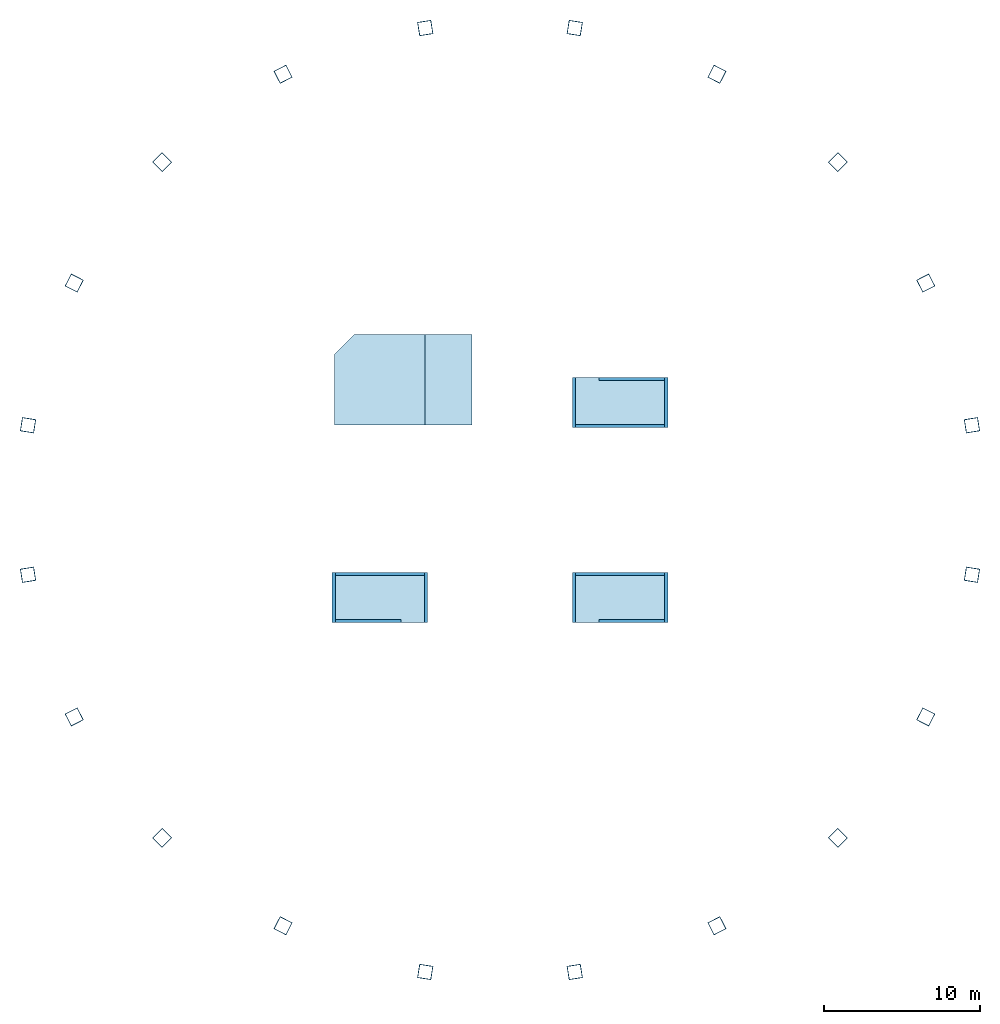
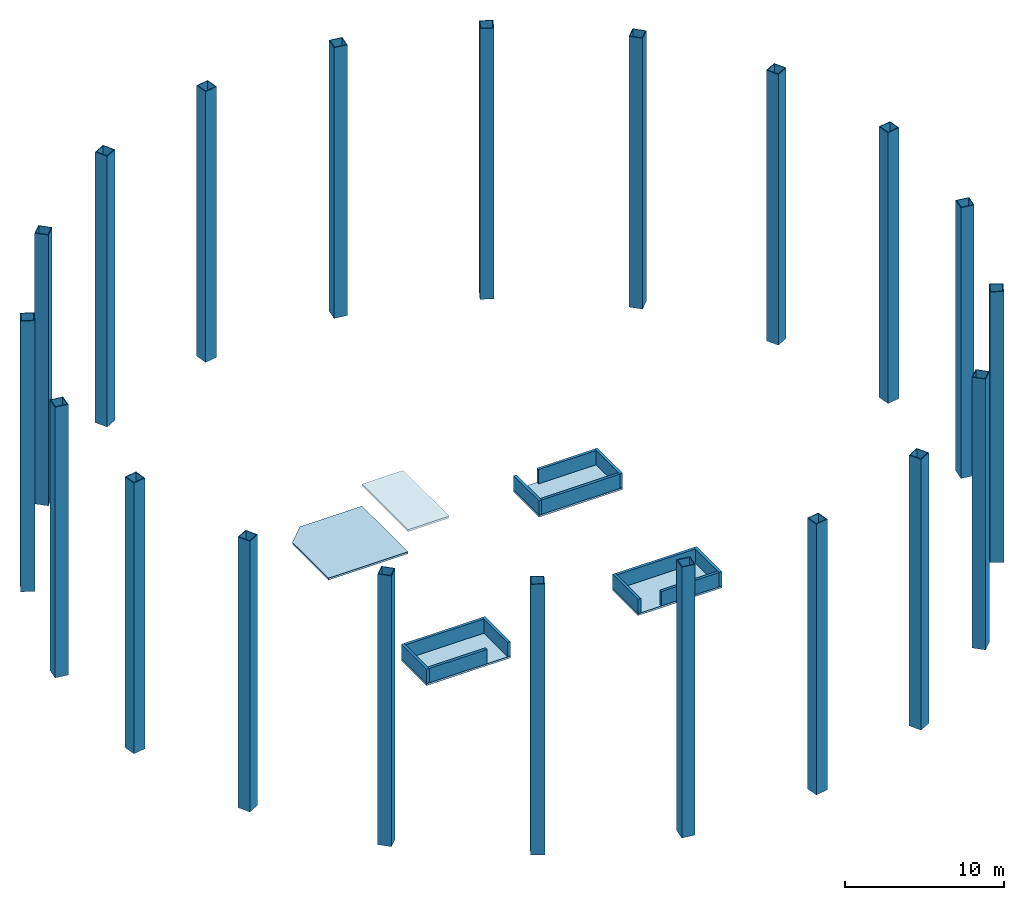
# One storey: 20 columns, 12 walls, 5 slabs.
"""IFC4 building model written with IfcOpenShell, lengths in metres."""

import ifcopenshell
import ifcopenshell.guid

model = None  # the IFC model being written
_history = None  # IfcOwnerHistory: only IFC2X3 demands one
_inside = {}  # id of a spatial element -> (the spatial element, [elements in it])
_under = {}  # id of a project, library or spatial element -> (it, [spatial elements below it])
_declared = {}  # id of a project -> (the project, [libraries it declares])
_typed = {}  # id of a type object -> (the type object, [elements of that type])
_made_of = {}  # id of a material, layer set ... -> (it, [elements and type objects made of it])


def new_model(schema):
    """Start an empty IFC model of exactly this schema.

    Asked for "IFC4X3", IfcOpenShell would pick the latest addendum, in which some entities
    have other attributes; the version numbers below select the first issue.
    IFC2X3 requires an IfcOwnerHistory on every rooted entity: one is made here for all.
    """
    global model, _history
    if schema == "IFC4X3":
        model = ifcopenshell.file(schema_version=(4, 3, 0, 0))
    else:
        model = ifcopenshell.file(schema=schema)
    _inside.clear()
    _under.clear()
    _declared.clear()
    _typed.clear()
    _made_of.clear()
    _history = None
    if model.schema == "IFC2X3":
        org = make("IfcOrganization", Name="unknown")
        user = make(
            "IfcPersonAndOrganization",
            ThePerson=make("IfcPerson", FamilyName="unknown"),
            TheOrganization=org,
        )
        app = make(
            "IfcApplication",
            ApplicationDeveloper=org,
            Version="unknown",
            ApplicationFullName="unknown",
            ApplicationIdentifier="unknown",
        )
        _history = make(
            "IfcOwnerHistory",
            OwningUser=user,
            OwningApplication=app,
            ChangeAction="ADDED",
            CreationDate=0,
        )
    return model


def make(cls, **values):
    """One entity of the class cls with the attributes given. An attribute that is None is left unset."""
    return model.create_entity(
        cls, **{name: value for name, value in values.items() if value is not None}
    )


def rooted(cls, **values):
    """An entity with a GlobalId (a new one), such as an element, a storey or a relation."""
    return make(cls, GlobalId=ifcopenshell.guid.new(), OwnerHistory=_history, **values)


def si_unit(unit_type, name, prefix=None):
    """IfcSIUnit, for example si_unit("LENGTHUNIT", "METRE", prefix="MILLI")."""
    return make("IfcSIUnit", UnitType=unit_type, Prefix=prefix, Name=name)


def assignment(units):
    """IfcUnitAssignment: the units of a project."""
    return None if units is None else make("IfcUnitAssignment", Units=units)


def point(xyz):
    """IfcCartesianPoint."""
    return None if xyz is None else make("IfcCartesianPoint", Coordinates=xyz)


def direction(xyz):
    """IfcDirection."""
    return None if xyz is None else make("IfcDirection", DirectionRatios=xyz)


def frame(location, z_axis=None, x_axis=None):
    """IfcAxis2Placement3D, a coordinate frame: its origin and axes. An axis left out is left unset."""
    return make(
        "IfcAxis2Placement3D",
        Location=point(location),
        Axis=direction(z_axis),
        RefDirection=direction(x_axis),
    )


def frame_2d(location, x_axis=None):
    """IfcAxis2Placement2D, a coordinate frame in the plane: its origin and x axis."""
    return make(
        "IfcAxis2Placement2D", Location=point(location), RefDirection=direction(x_axis)
    )


def origin():
    """The frame at (0, 0, 0) with its axes left unset."""
    return frame((0.0, 0.0, 0.0))


def origin_2d():
    """The frame at (0, 0) in the plane with its x axis left unset."""
    return frame_2d((0.0, 0.0))


def place(relative_to, where):
    """IfcLocalPlacement: puts the frame where relative to a parent placement (None: the world)."""
    return make(
        "IfcLocalPlacement", PlacementRelTo=relative_to, RelativePlacement=where
    )


def context(
    kind, dimensions, precision=None, world=None, true_north=None, identifier=None
):
    """IfcGeometricRepresentationContext, for example the 3D "Model" context."""
    return make(
        "IfcGeometricRepresentationContext",
        ContextIdentifier=identifier,
        ContextType=kind,
        CoordinateSpaceDimension=dimensions,
        Precision=precision,
        WorldCoordinateSystem=world,
        TrueNorth=true_north,
    )


def subcontext(parent, identifier, kind, view, scale=None):
    """IfcGeometricRepresentationSubContext, for example "Body" below "Model"."""
    return make(
        "IfcGeometricRepresentationSubContext",
        ContextIdentifier=identifier,
        ContextType=kind,
        ParentContext=parent,
        TargetScale=scale,
        TargetView=view,
    )


def project(units=None, contexts=None):
    """IfcProject with its units and contexts."""
    return rooted(
        "IfcProject",
        Name="project",
        RepresentationContexts=contexts,
        UnitsInContext=assignment(units),
    )


def spatial(cls, under=None, at=None, **own):
    """A site, building, storey or space (cls), placed at a placement, below another one or the project."""
    s = rooted(cls, ObjectPlacement=at, **own)
    if under is not None:
        _under.setdefault(under.id(), (under, []))[1].append(s)
    return s


def polyline(points):
    """IfcPolyline through the points."""
    return make("IfcPolyline", Points=[point(p) for p in points])


def profile(cls, at=None, kind="AREA", **sizes):
    """A parametric profile (cls). Its sizes go by their IFC names, for example OverallWidth=200.0."""
    return make(cls, ProfileType=kind, Position=at, **sizes)


def rectangle(**sizes):
    """IfcRectangleProfileDef."""
    return profile("IfcRectangleProfileDef", **sizes)


def hollow_rectangle(**sizes):
    """IfcRectangleHollowProfileDef."""
    return profile("IfcRectangleHollowProfileDef", **sizes)


def outline(outer, holes=None, kind="AREA"):
    """IfcArbitraryClosedProfileDef: a profile drawn as a closed curve; with holes, ...WithVoids."""
    if holes is None:
        return make("IfcArbitraryClosedProfileDef", ProfileType=kind, OuterCurve=outer)
    return make(
        "IfcArbitraryProfileDefWithVoids",
        ProfileType=kind,
        OuterCurve=outer,
        InnerCurves=holes,
    )


def extrude(swept, where, along, depth):
    """IfcExtrudedAreaSolid: the profile swept, set in the frame where, extruded along a direction by depth."""
    return make(
        "IfcExtrudedAreaSolid",
        SweptArea=swept,
        Position=where,
        ExtrudedDirection=direction(along),
        Depth=depth,
    )


def shape(context_of_items, identifier, shape_type, items):
    """IfcShapeRepresentation: the items that make up one representation, for example the "Body"."""
    return make(
        "IfcShapeRepresentation",
        ContextOfItems=context_of_items,
        RepresentationIdentifier=identifier,
        RepresentationType=shape_type,
        Items=items,
    )


def material(Name=None, Category=None):
    """IfcMaterial."""
    return make("IfcMaterial", Name=Name, Category=Category)


def layer(
    of_material, thickness, ventilated=None, Name=None, Category=None, Priority=None
):
    """IfcMaterialLayer: one layer of a wall or slab, of a material (None: an air gap)."""
    return make(
        "IfcMaterialLayer",
        Material=of_material,
        LayerThickness=thickness,
        IsVentilated=ventilated,
        Name=Name,
        Category=Category,
        Priority=Priority,
    )


def layer_set(layers, Name=None):
    """IfcMaterialLayerSet."""
    return make("IfcMaterialLayerSet", MaterialLayers=layers, LayerSetName=Name)


def material_profile(
    of_material, cross_section, Name=None, Category=None, Priority=None
):
    """IfcMaterialProfile: a cross section and its material."""
    return make(
        "IfcMaterialProfile",
        Name=Name,
        Material=of_material,
        Profile=cross_section,
        Priority=Priority,
        Category=Category,
    )


def profile_set(profiles, Name=None, composite=None):
    """IfcMaterialProfileSet."""
    return make(
        "IfcMaterialProfileSet",
        Name=Name,
        MaterialProfiles=profiles,
        CompositeProfile=composite,
    )


def made_of(thing, what):
    """Note that an element or type object is made of a material, layer set ...; save() writes the relation."""
    if what is not None:
        _made_of.setdefault(what.id(), (what, []))[1].append(thing)
    return thing


def type_object(cls, material=None, **own):
    """A type object (cls), such as IfcWallType, which elements share."""
    return made_of(rooted(cls, **own), material)


def element(
    cls,
    number,
    at=None,
    inside=None,
    cuts=None,
    type_object=None,
    material=None,
    context=None,
    identifier="Body",
    shape_type=None,
    held_by="IfcProductDefinitionShape",
    body=None,
    shapes=None,
    **own,
):
    """One element of the class cls, such as IfcWall. Its Tag is "e" and its number.

    at: its placement. inside: the storey or other place that contains it. cuts: it is an
    opening in that element (IfcRelVoidsElement). A single representation is given by context,
    identifier, shape_type and body (its items); several are given by shapes. held_by: the class
    of the entity that holds the representations. save() writes the other relations.
    """
    e = rooted(cls, Tag="e%d" % number, ObjectPlacement=at, **own)
    if body is not None:
        shapes = [shape(context, identifier, shape_type, body)]
    if shapes is not None:
        e.Representation = make(held_by, Representations=shapes)
    if inside is not None:
        _inside.setdefault(inside.id(), (inside, []))[1].append(e)
    if cuts is not None:
        rooted(
            "IfcRelVoidsElement", RelatingBuildingElement=cuts, RelatedOpeningElement=e
        )
    if type_object is not None:
        _typed.setdefault(type_object.id(), (type_object, []))[1].append(e)
    return made_of(e, material)


def aggregate(whole, parts):
    """IfcRelAggregates: a whole, such as a stair, and the parts it consists of."""
    return rooted("IfcRelAggregates", RelatingObject=whole, RelatedObjects=parts)


def save(model, path):
    """Write the relations noted so far, then the file.

    IfcRelAggregates (storeys below a building ...), IfcRelContainedInSpatialStructure (elements
    in a storey), IfcRelDefinesByType, IfcRelAssociatesMaterial and IfcRelDeclares: one each for
    every whole, place, type object, material and project.
    """
    for whole, parts in _under.values():
        aggregate(whole, parts)
    for where, things in _inside.values():
        rooted(
            "IfcRelContainedInSpatialStructure",
            RelatedElements=things,
            RelatingStructure=where,
        )
    for kind, things in _typed.values():
        rooted("IfcRelDefinesByType", RelatedObjects=things, RelatingType=kind)
    for what, things in _made_of.values():
        rooted("IfcRelAssociatesMaterial", RelatedObjects=things, RelatingMaterial=what)
    for by, libraries in _declared.values():
        rooted("IfcRelDeclares", RelatingContext=by, RelatedDefinitions=libraries)
    model.write(path)


model = new_model("IFC4")

# Units and contexts
model_context = context("Model", 3, precision=1e-05, world=origin(), true_north=direction((0.0, 1.0)))
body_context = subcontext(model_context, "Body", "Model", "MODEL_VIEW")
ifc_project = project(units=[si_unit("LENGTHUNIT", "METRE"), si_unit("AREAUNIT", "SQUARE_METRE"), si_unit("VOLUMEUNIT", "CUBIC_METRE"), si_unit("PLANEANGLEUNIT", "RADIAN"), si_unit("MASSUNIT", "GRAM", prefix="KILO")], contexts=[model_context])

# Site, building, storey
site_placement = place(None, origin())
site = spatial("IfcSite", under=ifc_project, at=site_placement, CompositionType="ELEMENT")
building_placement = place(site_placement, origin())
building = spatial("IfcBuilding", under=site, at=building_placement, Name="Entoto Ring Tower", CompositionType="ELEMENT")
storey_placement = place(building_placement, frame((0.0, 0.0, 418.14990234375)))
storey = spatial("IfcBuildingStorey", under=building, at=storey_placement, Name="ROOF HEAD HOUSE", CompositionType="ELEMENT", Elevation=418.14990234375)

# Columns
ifc_material_1 = material(Name="Steel S355", Category="steel")
ifc_material_profile = material_profile(ifc_material_1, hollow_rectangle(XDim=0.89990234375, YDim=0.89990234375, WallThickness=0.050048828125, at=origin_2d()), Name="Crown frame post 900 x 900 x 50 mm")
ifc_profile_set = profile_set([ifc_material_profile], Name="Steel S355")
column_type = type_object("IfcColumnType", Name="Crown frame post 900 x 900 x 50 mm", PredefinedType="COLUMN", material=ifc_profile_set)
for number, where, z_axis, x_axis, name in (
    (1, (120.22314453125, 84.786865234375, 0.0), (0.0, 0.0, 1.0), (-0.15643446504, 0.987688340595, 0.0), "CROWN FRAME POST 01"),
    (2, (117.264892578125, 93.89208984375, 0.0), (0.0, 0.0, 1.0), (-0.45399049974, 0.891006524188, 0.0), "CROWN FRAME POST 02"),
    (3, (111.637451171875, 101.637451171875, 0.0), (0.0, 0.0, 1.0), (-0.707106781187, 0.707106781187, 0.0), "CROWN FRAME POST 03"),
    (4, (103.89208984375, 107.264892578125, 0.0), (0.0, 0.0, 1.0), (-0.891006524188, 0.45399049974, 0.0), "CROWN FRAME POST 04"),
    (5, (94.786865234375, 110.22314453125, 0.0), (0.0, 0.0, 1.0), (-0.987688340595, 0.15643446504, 0.0), "CROWN FRAME POST 05"),
    (6, (85.213134765625, 110.22314453125, 0.0), (0.0, 0.0, 1.0), (-0.987688340595, -0.15643446504, 0.0), "CROWN FRAME POST 06"),
    (7, (76.10791015625, 107.264892578125, 0.0), (0.0, 0.0, 1.0), (-0.891006524188, -0.45399049974, 0.0), "CROWN FRAME POST 07"),
    (8, (68.362548828125, 101.637451171875, 0.0), (0.0, 0.0, 1.0), (-0.707106781187, -0.707106781187, 0.0), "CROWN FRAME POST 08"),
    (9, (62.735107421875, 93.89208984375, 0.0), (0.0, 0.0, 1.0), (-0.45399049974, -0.891006524188, 0.0), "CROWN FRAME POST 09"),
    (10, (59.77685546875, 84.786865234375, 0.0), (0.0, 0.0, 1.0), (-0.15643446504, -0.987688340595, 0.0), "CROWN FRAME POST 10"),
    (11, (59.77685546875, 75.213134765625, 0.0), (0.0, 0.0, 1.0), (0.15643446504, -0.987688340595, 0.0), "CROWN FRAME POST 11"),
    (12, (62.735107421875, 66.10791015625, 0.0), (0.0, 0.0, 1.0), (0.45399049974, -0.891006524188, 0.0), "CROWN FRAME POST 12"),
    (13, (68.362548828125, 58.362548828125, 0.0), (0.0, 0.0, 1.0), (0.707106781187, -0.707106781187, 0.0), "CROWN FRAME POST 13"),
    (14, (76.10791015625, 52.735107421875, 0.0), (0.0, 0.0, 1.0), (0.891006524188, -0.45399049974, 0.0), "CROWN FRAME POST 14"),
    (15, (85.213134765625, 49.77685546875, 0.0), (0.0, 0.0, 1.0), (0.987688340595, -0.15643446504, 0.0), "CROWN FRAME POST 15"),
    (16, (94.786865234375, 49.77685546875, 0.0), (0.0, 0.0, 1.0), (0.987688340595, 0.15643446504, 0.0), "CROWN FRAME POST 16"),
    (17, (103.89208984375, 52.735107421875, 0.0), (0.0, 0.0, 1.0), (0.891006524188, 0.45399049974, 0.0), "CROWN FRAME POST 17"),
    (18, (111.637451171875, 58.362548828125, 0.0), (0.0, 0.0, 1.0), (0.707106781187, 0.707106781187, 0.0), "CROWN FRAME POST 18"),
    (19, (117.264892578125, 66.10791015625, 0.0), (0.0, 0.0, 1.0), (0.45399049974, 0.891006524188, 0.0), "CROWN FRAME POST 19"),
    (20, (120.22314453125, 75.213134765625, 0.0), (0.0, 0.0, 1.0), (0.15643446504, 0.987688340595, 0.0), "CROWN FRAME POST 20"),
):
    element("IfcColumn", number, at=place(storey_placement, frame(where, z_axis=z_axis, x_axis=x_axis)), inside=storey, type_object=column_type, Name=name, PredefinedType="COLUMN", context=body_context, shape_type="SweptSolid", body=[
        extrude(hollow_rectangle(XDim=0.89990234375, YDim=0.89990234375, WallThickness=0.050048828125, at=origin_2d()), origin(), (0.0, 0.0, 1.0), 20.85009765625),
    ])

# Slabs
ifc_material_2 = material(Name="Concrete C40/50", Category="concrete")
ifc_layer_1 = layer(ifc_material_2, 0.14990234375)
ifc_layer_set_1 = layer_set([ifc_layer_1], Name="Concrete C40/50")
slab_type = type_object("IfcSlabType", Name="Core roof slab 150 mm reinforced concrete C40/50", PredefinedType="ROOF", material=ifc_layer_set_1)
slab_1_placement = place(storey_placement, frame((0.0, 0.0, -0.14990234375)))
element("IfcSlab", 21, at=slab_1_placement, inside=storey, type_object=slab_type, Name="Head-house roof ST1", PredefinedType="ROOF", context=body_context, shape_type="SweptSolid", body=[
    extrude(outline(polyline([(94.64990234375, 84.64990234375), (100.75, 84.64990234375), (100.75, 87.85009765625), (94.64990234375, 87.85009765625), (94.64990234375, 84.64990234375)])), origin(), (0.0, 0.0, 1.0), 0.14990234375),
])
slab_2_placement = place(storey_placement, frame((0.0, 0.0, -0.14990234375)))
element("IfcSlab", 22, at=slab_2_placement, inside=storey, type_object=slab_type, Name="Head-house roof ST2", PredefinedType="ROOF", context=body_context, shape_type="SweptSolid", body=[
    extrude(outline(polyline([(79.25, 72.14990234375), (85.35009765625, 72.14990234375), (85.35009765625, 75.35009765625), (79.25, 75.35009765625), (79.25, 72.14990234375)])), origin(), (0.0, 0.0, 1.0), 0.14990234375),
])
slab_3_placement = place(storey_placement, frame((0.0, 0.0, -0.14990234375)))
element("IfcSlab", 23, at=slab_3_placement, inside=storey, type_object=slab_type, Name="Head-house roof ST3", PredefinedType="ROOF", context=body_context, shape_type="SweptSolid", body=[
    extrude(outline(polyline([(94.64990234375, 72.14990234375), (100.75, 72.14990234375), (100.75, 75.35009765625), (94.64990234375, 75.35009765625), (94.64990234375, 72.14990234375)])), origin(), (0.0, 0.0, 1.0), 0.14990234375),
])
slab_4_placement = place(storey_placement, frame((0.0, 0.0, 0.25)))
element("IfcSlab", 24, at=slab_4_placement, inside=storey, type_object=slab_type, Name="Roof lift lobby roof", PredefinedType="ROOF", context=body_context, shape_type="SweptSolid", body=[
    extrude(outline(polyline([(79.39990234375, 89.34033203125), (79.39990234375, 87.699951171875), (79.39990234375, 84.800048828125), (85.199951171875, 84.800048828125), (85.199951171875, 87.699951171875), (85.199951171875, 90.60009765625), (80.65966796875, 90.60009765625), (79.39990234375, 89.34033203125)])), origin(), (0.0, 0.0, 1.0), 0.150146484375),
])
slab_5_placement = place(storey_placement, frame((0.0, 0.0, 1.9501953125)))
element("IfcSlab", 25, at=slab_5_placement, inside=storey, type_object=slab_type, Name="Lift shafts roof", PredefinedType="ROOF", context=body_context, shape_type="SweptSolid", body=[
    extrude(outline(polyline([(85.199951171875, 87.699951171875), (85.199951171875, 84.800048828125), (88.199951171875, 84.800048828125), (88.199951171875, 87.699951171875), (88.199951171875, 90.60009765625), (85.199951171875, 90.60009765625), (85.199951171875, 87.699951171875)])), origin(), (0.0, 0.0, 1.0), 0.14990234375),
])

# Walls
ifc_material_3 = material(Name="Concrete C40/50", Category="concrete")
ifc_layer_2 = layer(ifc_material_3, 0.199951171875)
ifc_layer_set_2 = layer_set([ifc_layer_2], Name="Concrete C40/50")
wall_type = type_object("IfcWallType", Name="Head-house roof parapet 200 mm reinforced concrete", PredefinedType="PARAPET", material=ifc_layer_set_2)
wall_1_placement = place(storey_placement, frame((100.64990234375, 84.64990234375, 0.0), z_axis=(0.0, 0.0, 1.0), x_axis=(0.0, 1.0, 0.0)))
element("IfcWall", 26, at=wall_1_placement, inside=storey, type_object=wall_type, Name="wall-ROOFHEADHOUSE-ST1-parapet-e", PredefinedType="PARAPET", context=body_context, shape_type="SweptSolid", body=[
    extrude(rectangle(XDim=3.2001953125, YDim=0.199951171875, at=frame_2d((1.60009765625, 0.0))), origin(), (0.0, 0.0, 1.0), 1.10009765625),
])
wall_2_placement = place(storey_placement, frame((96.35009765625, 87.75, 0.0), z_axis=(0.0, 0.0, 1.0), x_axis=(1.0, 0.0, 0.0)))
element("IfcWall", 27, at=wall_2_placement, inside=storey, type_object=wall_type, Name="wall-ROOFHEADHOUSE-ST1-parapet-n2", PredefinedType="PARAPET", context=body_context, shape_type="SweptSolid", body=[
    extrude(rectangle(XDim=4.199951171875, YDim=0.199951171875, at=frame_2d((2.10009765625, 0.0))), origin(), (0.0, 0.0, 1.0), 1.10009765625),
])
wall_3_placement = place(storey_placement, frame((94.85009765625, 84.75, 0.0), z_axis=(0.0, 0.0, 1.0), x_axis=(1.0, 0.0, 0.0)))
element("IfcWall", 28, at=wall_3_placement, inside=storey, type_object=wall_type, Name="wall-ROOFHEADHOUSE-ST1-parapet-s", PredefinedType="PARAPET", context=body_context, shape_type="SweptSolid", body=[
    extrude(rectangle(XDim=5.699951171875, YDim=0.199951171875, at=frame_2d((2.85009765625, 0.0))), origin(), (0.0, 0.0, 1.0), 1.10009765625),
])
for number, where, z_axis, x_axis, name in (
    (29, (94.75, 84.64990234375, 0.0), (0.0, 0.0, 1.0), (0.0, 1.0, 0.0), "wall-ROOFHEADHOUSE-ST1-parapet-w"),
    (30, (85.25, 72.14990234375, 0.0), (0.0, 0.0, 1.0), (0.0, 1.0, 0.0), "wall-ROOFHEADHOUSE-ST2-parapet-e"),
):
    element("IfcWall", number, at=place(storey_placement, frame(where, z_axis=z_axis, x_axis=x_axis)), inside=storey, type_object=wall_type, Name=name, PredefinedType="PARAPET", context=body_context, shape_type="SweptSolid", body=[
        extrude(rectangle(XDim=3.2001953125, YDim=0.199951171875, at=frame_2d((1.60009765625, 0.0))), origin(), (0.0, 0.0, 1.0), 1.10009765625),
    ])
wall_4_placement = place(storey_placement, frame((79.449951171875, 75.25, 0.0), z_axis=(0.0, 0.0, 1.0), x_axis=(1.0, 0.0, 0.0)))
element("IfcWall", 31, at=wall_4_placement, inside=storey, type_object=wall_type, Name="wall-ROOFHEADHOUSE-ST2-parapet-n", PredefinedType="PARAPET", context=body_context, shape_type="SweptSolid", body=[
    extrude(rectangle(XDim=5.699951171875, YDim=0.199951171875, at=frame_2d((2.85009765625, 0.0))), origin(), (0.0, 0.0, 1.0), 1.10009765625),
])
wall_5_placement = place(storey_placement, frame((79.449951171875, 72.25, 0.0), z_axis=(0.0, 0.0, 1.0), x_axis=(1.0, 0.0, 0.0)))
element("IfcWall", 32, at=wall_5_placement, inside=storey, type_object=wall_type, Name="wall-ROOFHEADHOUSE-ST2-parapet-s1", PredefinedType="PARAPET", context=body_context, shape_type="SweptSolid", body=[
    extrude(rectangle(XDim=4.199951171875, YDim=0.199951171875, at=frame_2d((2.10009765625, 0.0))), origin(), (0.0, 0.0, 1.0), 1.10009765625),
])
for number, where, z_axis, x_axis, name in (
    (33, (79.35009765625, 72.14990234375, 0.0), (0.0, 0.0, 1.0), (0.0, 1.0, 0.0), "wall-ROOFHEADHOUSE-ST2-parapet-w"),
    (34, (100.64990234375, 72.14990234375, 0.0), (0.0, 0.0, 1.0), (0.0, 1.0, 0.0), "wall-ROOFHEADHOUSE-ST3-parapet-e"),
):
    element("IfcWall", number, at=place(storey_placement, frame(where, z_axis=z_axis, x_axis=x_axis)), inside=storey, type_object=wall_type, Name=name, PredefinedType="PARAPET", context=body_context, shape_type="SweptSolid", body=[
        extrude(rectangle(XDim=3.2001953125, YDim=0.199951171875, at=frame_2d((1.60009765625, 0.0))), origin(), (0.0, 0.0, 1.0), 1.10009765625),
    ])
wall_6_placement = place(storey_placement, frame((94.85009765625, 75.25, 0.0), z_axis=(0.0, 0.0, 1.0), x_axis=(1.0, 0.0, 0.0)))
element("IfcWall", 35, at=wall_6_placement, inside=storey, type_object=wall_type, Name="wall-ROOFHEADHOUSE-ST3-parapet-n", PredefinedType="PARAPET", context=body_context, shape_type="SweptSolid", body=[
    extrude(rectangle(XDim=5.699951171875, YDim=0.199951171875, at=frame_2d((2.85009765625, 0.0))), origin(), (0.0, 0.0, 1.0), 1.10009765625),
])
wall_7_placement = place(storey_placement, frame((96.35009765625, 72.25, 0.0), z_axis=(0.0, 0.0, 1.0), x_axis=(1.0, 0.0, 0.0)))
element("IfcWall", 36, at=wall_7_placement, inside=storey, type_object=wall_type, Name="wall-ROOFHEADHOUSE-ST3-parapet-s2", PredefinedType="PARAPET", context=body_context, shape_type="SweptSolid", body=[
    extrude(rectangle(XDim=4.199951171875, YDim=0.199951171875, at=frame_2d((2.10009765625, 0.0))), origin(), (0.0, 0.0, 1.0), 1.10009765625),
])
wall_8_placement = place(storey_placement, frame((94.75, 72.14990234375, 0.0), z_axis=(0.0, 0.0, 1.0), x_axis=(0.0, 1.0, 0.0)))
element("IfcWall", 37, at=wall_8_placement, inside=storey, type_object=wall_type, Name="wall-ROOFHEADHOUSE-ST3-parapet-w", PredefinedType="PARAPET", context=body_context, shape_type="SweptSolid", body=[
    extrude(rectangle(XDim=3.2001953125, YDim=0.199951171875, at=frame_2d((1.60009765625, 0.0))), origin(), (0.0, 0.0, 1.0), 1.10009765625),
])

save(model, "model.ifc")
